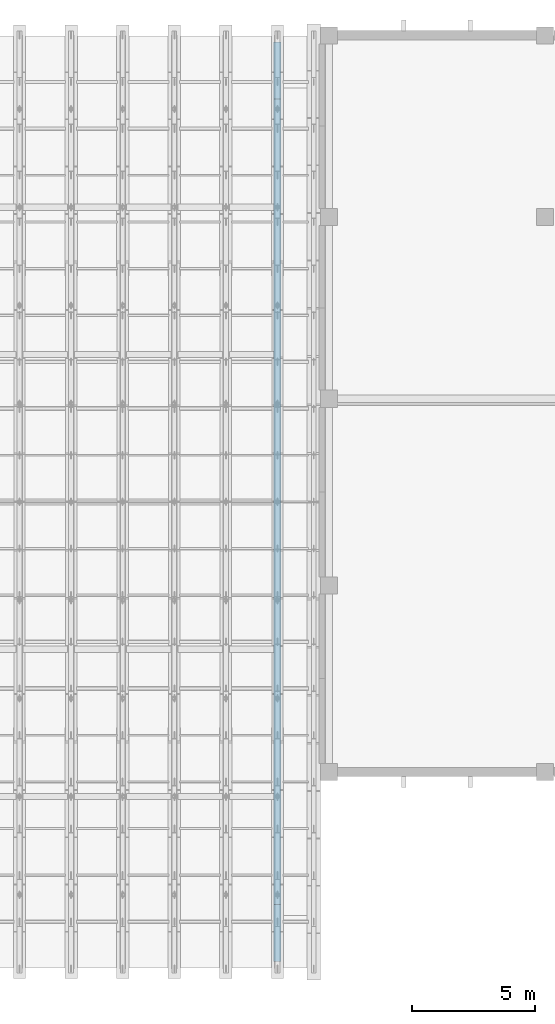
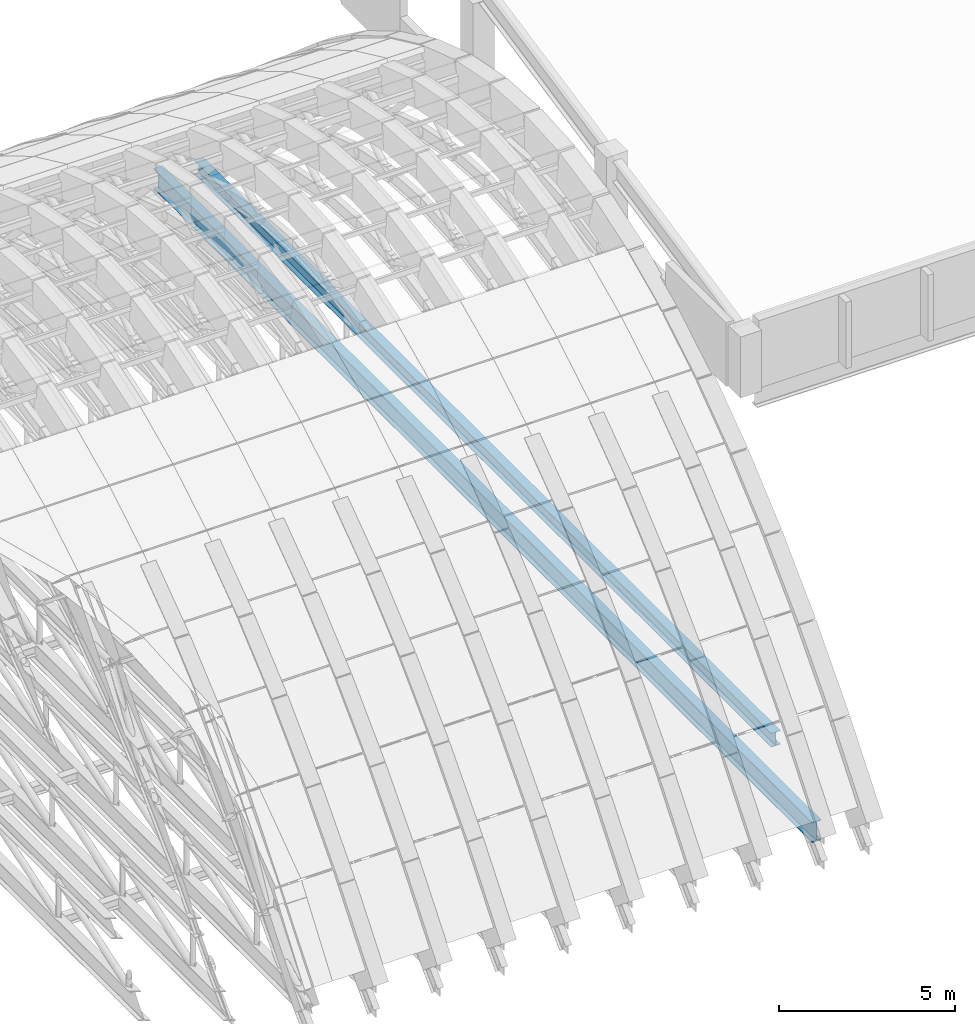
# One storey, part 41 of 67: 2 beams.
"""IFC4 building model written with IfcOpenShell, lengths in metres."""

from ifc_helpers import new_model, si_unit, direction, frame, origin, origin_2d, place, context, subcontext, project, spatial, i_section, extrude, material, material_profile, profile_set, type_object, element, save


model = new_model("IFC4")

# Units and contexts
model_context = context("Model", 3, precision=1e-05, world=origin(), true_north=direction((0.0, 1.0)))
body_context = subcontext(model_context, "Body", "Model", "MODEL_VIEW")
ifc_project = project(units=[si_unit("LENGTHUNIT", "METRE"), si_unit("AREAUNIT", "SQUARE_METRE"), si_unit("VOLUMEUNIT", "CUBIC_METRE"), si_unit("PLANEANGLEUNIT", "RADIAN"), si_unit("MASSUNIT", "GRAM", prefix="KILO")], contexts=[model_context])

# Site, building, storey
site_placement = place(None, origin())
site = spatial("IfcSite", under=ifc_project, at=site_placement, CompositionType="ELEMENT")
building_placement = place(site_placement, origin())
building = spatial("IfcBuilding", under=site, at=building_placement, Name="Shengluoqiao Park Theatre", CompositionType="ELEMENT")
storey_placement = place(building_placement, frame((0.0, 0.0, 28.60009765625)))
storey = spatial("IfcBuildingStorey", under=building, at=storey_placement, Name="Roof", CompositionType="ELEMENT", Elevation=28.60009765625)

# Beams
ifc_material_1 = material(Name="Steel Q355", Category="steel")
ifc_material_profile_1 = material_profile(ifc_material_1, i_section(OverallWidth=0.300048828125, OverallDepth=0.488037109375, WebThickness=0.010986328125, FlangeThickness=0.01806640625, FilletRadius=0.02197265625, at=origin_2d()), Name="HM 488x300x11x18")
ifc_profile_set_1 = profile_set([ifc_material_profile_1], Name="Steel Q355")
beam_type_1 = type_object("IfcBeamType", Name="STR-BM-G-HM488", PredefinedType="BEAM", material=ifc_profile_set_1)
beam_1_placement = place(storey_placement, frame((84.300048828125, 78.60009765625, -8.150146484375), z_axis=(0.0, 1.0, 0.0), x_axis=(-1.0, 0.0, 0.0)))
element("IfcBeam", 1, at=beam_1_placement, inside=storey, type_object=beam_type_1, Name="Barrel-Shell Acoustic Tie Truss Top Chord 20", PredefinedType="BEAM", context=body_context, shape_type="SweptSolid", body=[
    extrude(i_section(OverallWidth=0.300048828125, OverallDepth=0.488037109375, WebThickness=0.010986328125, FlangeThickness=0.01806640625, FilletRadius=0.02197265625, at=origin_2d()), origin(), (0.0, 0.0, 1.0), 32.7998046875),
])
ifc_material_2 = material(Name="Steel Q390", Category="steel")
ifc_material_profile_2 = material_profile(ifc_material_2, i_section(OverallWidth=0.300048828125, OverallDepth=0.699951171875, WebThickness=0.012939453125, FlangeThickness=0.02392578125, FilletRadius=0.02392578125, at=origin_2d()), Name="HN 700x300x13x24")
ifc_profile_set_2 = profile_set([ifc_material_profile_2], Name="Steel Q390")
beam_type_2 = type_object("IfcBeamType", Name="STR-BM-G-HN700", PredefinedType="BEAM", material=ifc_profile_set_2)
beam_2_placement = place(storey_placement, frame((84.300048828125, 76.280029296875, -9.9501953125), z_axis=(0.0, 1.0, 0.0), x_axis=(-1.0, 0.0, 0.0)))
element("IfcBeam", 2, at=beam_2_placement, inside=storey, type_object=beam_type_2, Name="Barrel-Shell Acoustic Tie Truss Bottom Chord 20", PredefinedType="BEAM", context=body_context, shape_type="SweptSolid", body=[
    extrude(i_section(OverallWidth=0.300048828125, OverallDepth=0.699951171875, WebThickness=0.012939453125, FlangeThickness=0.02392578125, FilletRadius=0.02392578125, at=origin_2d()), origin(), (0.0, 0.0, 1.0), 37.43994140625),
])

save(model, "model.ifc")
